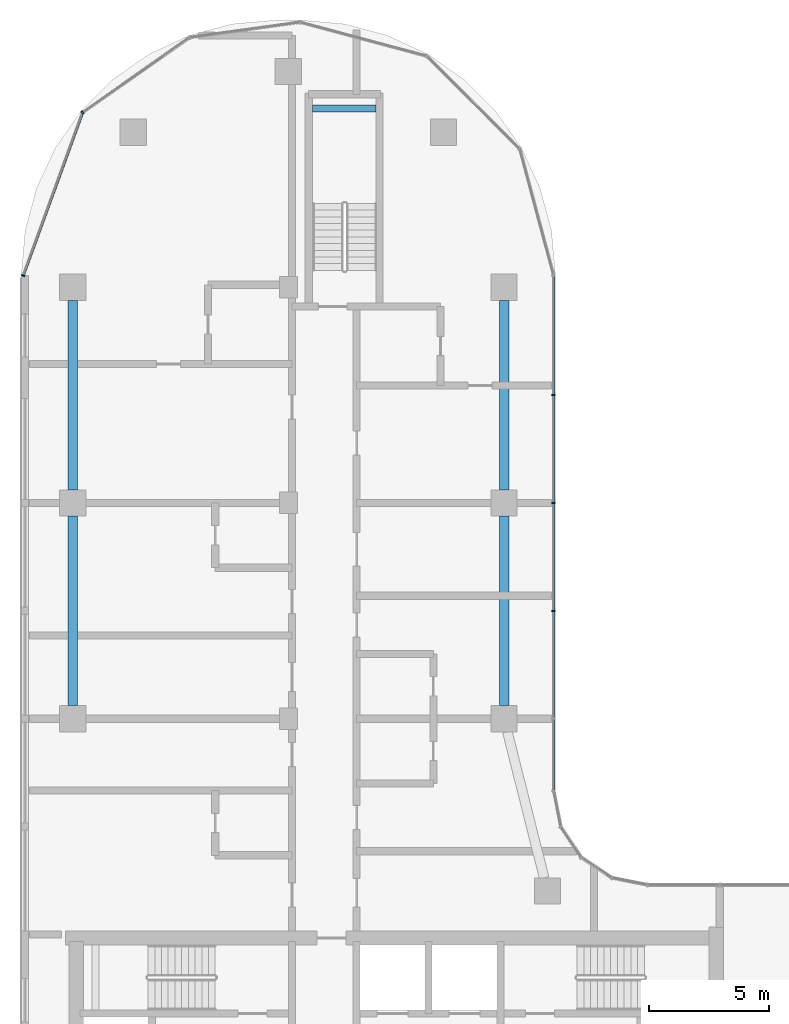
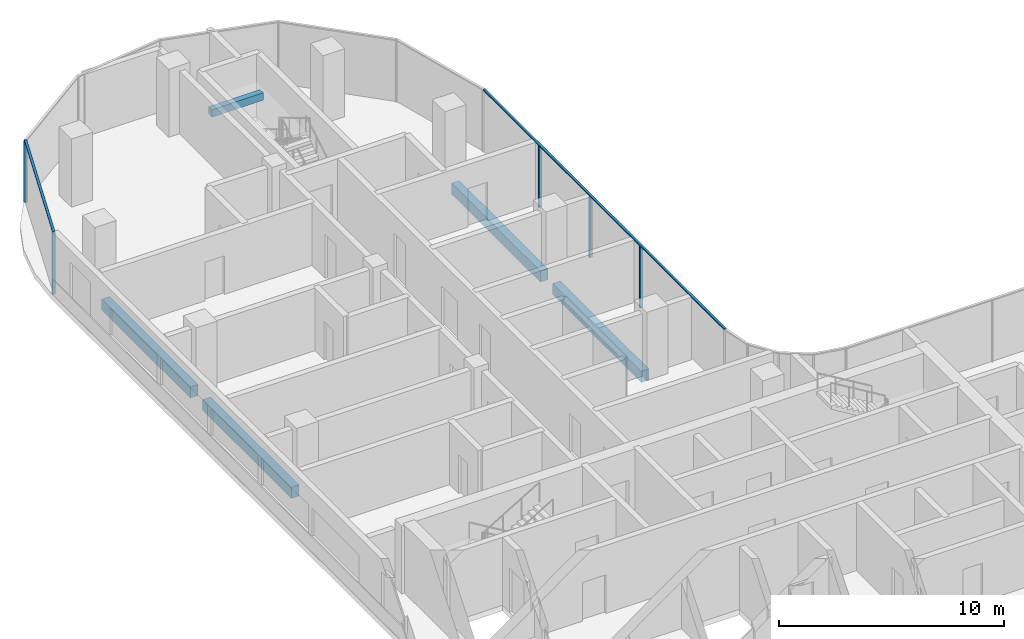
# One storey, part 6 of 23: 7 members, 5 beams, 2 elements without a shape of their own.
"""IFC4 building model written with IfcOpenShell, lengths in metres."""

from ifc_helpers import new_model, si_unit, direction, frame, origin, origin_2d, place, context, subcontext, project, spatial, rectangle, extrude, material, material_profile, profile_set, type_object, element, aggregate, save


model = new_model("IFC4")

# Units and contexts
model_context = context("Model", 3, precision=1e-05, world=origin(), true_north=direction((0.0, 1.0)))
body_context = subcontext(model_context, "Body", "Model", "MODEL_VIEW")
ifc_project = project(units=[si_unit("LENGTHUNIT", "METRE"), si_unit("AREAUNIT", "SQUARE_METRE"), si_unit("VOLUMEUNIT", "CUBIC_METRE"), si_unit("PLANEANGLEUNIT", "RADIAN"), si_unit("MASSUNIT", "GRAM", prefix="KILO")], contexts=[model_context])

# Site, building, storey
site_placement = place(None, origin())
site = spatial("IfcSite", under=ifc_project, at=site_placement, CompositionType="ELEMENT")
building_placement = place(site_placement, origin())
building = spatial("IfcBuilding", under=site, at=building_placement, Name="Ogive Portal Towers", CompositionType="ELEMENT")
storey_placement = place(building_placement, frame((0.0, 0.0, 175.5)))
storey = spatial("IfcBuildingStorey", under=building, at=storey_placement, Name="L43", CompositionType="ELEMENT", Elevation=175.5)

# Beam
ifc_material_1 = material(Name="Concrete C40/50", Category="concrete")
ifc_material_profile_1 = material_profile(ifc_material_1, rectangle(XDim=0.300048828125, YDim=0.39990234375, at=origin_2d()), Name="RC 300x400")
ifc_profile_set_1 = profile_set([ifc_material_profile_1], Name="Concrete C40/50")
beam_type_1 = type_object("IfcBeamType", Name="BEAM RC 300x400", PredefinedType="BEAM", material=ifc_profile_set_1)
beam_placement = place(storey_placement, frame((41.5, 73.949951171875, 1.449951171875), z_axis=(1.0, 0.0, 0.0), x_axis=(0.0, 1.0, 0.0)))
element("IfcBeam", 1, at=beam_placement, inside=storey, type_object=beam_type_1, Name="Landing beam L43", PredefinedType="BEAM", context=body_context, shape_type="SweptSolid", body=[
    extrude(rectangle(XDim=0.300048828125, YDim=0.39990234375, at=origin_2d()), origin(), (0.0, 0.0, 1.0), 2.64990234375),
])

# Curtain wall, members
ifc_material_2 = material(Name="Glass, clear low-iron insulated glazing", Category="glass")
curtain_wall_type = type_object("IfcCurtainWallType", Name="CW FRONT RIBBON 4500", PredefinedType="NOTDEFINED", material=ifc_material_2)
curtain_wall_1_placement = place(storey_placement, origin())
curtain_wall_1 = element("IfcCurtainWall", 2, at=curtain_wall_1_placement, inside=storey, type_object=curtain_wall_type, Name="A:L43:f15:cw0", PredefinedType="NOTDEFINED")
ifc_material_3 = material(Name="Aluminium 6063 anodised", Category="aluminium")
ifc_material_profile_2 = material_profile(ifc_material_3, rectangle(XDim=0.159912109375, YDim=0.06005859375, at=origin_2d()), Name="AL 60x160")
ifc_profile_set_2 = profile_set([ifc_material_profile_2], Name="Aluminium 6063 anodised")
member_type_1 = type_object("IfcMemberType", Name="CW MULLION 60x160", PredefinedType="MULLION", material=ifc_profile_set_2)
member_1_placement = place(storey_placement, frame((51.56494140625, 53.0, 0.0), z_axis=(0.0, 0.0, 1.0), x_axis=(-1.0, 0.0, 0.0)))
member_1 = element("IfcMember", 3, at=member_1_placement, type_object=member_type_1, Name="mullion", PredefinedType="MULLION", context=body_context, shape_type="SweptSolid", body=[
    extrude(rectangle(XDim=0.159912109375, YDim=0.06005859375, at=origin_2d()), origin(), (0.0, 0.0, 1.0), 3.340087890625),
])
member_2_placement = place(storey_placement, frame((51.56494140625, 57.5, 0.0), z_axis=(0.0, 0.0, 1.0), x_axis=(-1.0, 0.0, 0.0)))
member_2 = element("IfcMember", 4, at=member_2_placement, type_object=member_type_1, Name="mullion", PredefinedType="MULLION", context=body_context, shape_type="SweptSolid", body=[
    extrude(rectangle(XDim=0.159912109375, YDim=0.06005859375, at=origin_2d()), origin(), (0.0, 0.0, 1.0), 3.340087890625),
])
member_3_placement = place(storey_placement, frame((51.56494140625, 62.0, 0.0), z_axis=(0.0, 0.0, 1.0), x_axis=(-1.0, 0.0, 0.0)))
member_3 = element("IfcMember", 5, at=member_3_placement, type_object=member_type_1, Name="mullion", PredefinedType="MULLION", context=body_context, shape_type="SweptSolid", body=[
    extrude(rectangle(XDim=0.159912109375, YDim=0.06005859375, at=origin_2d()), origin(), (0.0, 0.0, 1.0), 3.340087890625),
])

curtain_wall_2_placement = place(storey_placement, origin())
curtain_wall_2 = element("IfcCurtainWall", 6, at=curtain_wall_2_placement, inside=storey, type_object=curtain_wall_type, Name="A:L43:f16:cwa", PredefinedType="NOTDEFINED")
member_4_placement = place(storey_placement, frame((31.912109375, 73.79150390625, 0.0), z_axis=(0.0, 0.0, 1.0), x_axis=(0.573576436351, -0.819152044289, 0.0)))
member_4 = element("IfcMember", 7, at=member_4_placement, type_object=member_type_1, Name="mullion", PredefinedType="MULLION", context=body_context, shape_type="SweptSolid", body=[
    extrude(rectangle(XDim=0.159912109375, YDim=0.06005859375, at=origin_2d()), origin(), (0.0, 0.0, 1.0), 3.340087890625),
])
member_5_placement = place(storey_placement, frame((29.43505859375, 66.98583984375, 0.0), z_axis=(0.0, 0.0, 1.0), x_axis=(0.939692620786, -0.342020143326, 0.0)))
member_5 = element("IfcMember", 8, at=member_5_placement, type_object=member_type_1, Name="mullion", PredefinedType="MULLION", context=body_context, shape_type="SweptSolid", body=[
    extrude(rectangle(XDim=0.159912109375, YDim=0.06005859375, at=origin_2d()), origin(), (0.0, 0.0, 1.0), 3.340087890625),
])

# Member
ifc_material_profile_3 = material_profile(ifc_material_3, rectangle(XDim=0.1201171875, YDim=0.06005859375, at=origin_2d()), Name="AL 120x60")
ifc_profile_set_3 = profile_set([ifc_material_profile_3], Name="Aluminium 6063 anodised")
member_type_2 = type_object("IfcMemberType", Name="CW TRANSOM 60x120", PredefinedType="USERDEFINED", material=ifc_profile_set_3)
member_6_placement = place(storey_placement, frame((51.56494140625, 45.4921875, 3.3701171875), z_axis=(0.0, 1.0, 0.0), x_axis=(-1.0, 0.0, 0.0)))
member_6 = element("IfcMember", 9, at=member_6_placement, type_object=member_type_2, Name="transom", ObjectType="TRANSOM", PredefinedType="USERDEFINED", context=body_context, shape_type="SweptSolid", body=[
    extrude(rectangle(XDim=0.1201171875, YDim=0.06005859375, at=origin_2d()), origin(), (0.0, 0.0, 1.0), 21.497314453125),
])

aggregate(curtain_wall_1, [member_6, member_1, member_2, member_3])

member_7_placement = place(storey_placement, frame((31.912109375, 73.79150390625, 3.3701171875), z_axis=(-0.342019123812, -0.939692991858, 0.0), x_axis=(0.939692991858, -0.342019123812, 0.0)))
member_7 = element("IfcMember", 10, at=member_7_placement, type_object=member_type_2, Name="transom", ObjectType="TRANSOM", PredefinedType="USERDEFINED", context=body_context, shape_type="SweptSolid", body=[
    extrude(rectangle(XDim=0.1201171875, YDim=0.06005859375, at=origin_2d()), origin(), (0.0, 0.0, 1.0), 7.242431640625),
])

aggregate(curtain_wall_2, [member_7, member_4, member_5])

# Beams
ifc_material_profile_4 = material_profile(ifc_material_1, rectangle(XDim=0.39990234375, YDim=0.60009765625, at=origin_2d()), Name="RC 400x600")
ifc_profile_set_4 = profile_set([ifc_material_profile_4], Name="Concrete C40/50")
beam_type_2 = type_object("IfcBeamType", Name="SPANDREL BEAM RC 400x600", PredefinedType="BEAM", material=ifc_profile_set_4)
for number, where, z_axis, x_axis, name in (
    (11, (31.5, 49.050048828125, -0.60009765625), (0.0, 1.0, 0.0), (-1.0, 0.0, 0.0), "Spandrel beam L43"),
    (12, (31.5, 58.050048828125, -0.60009765625), (0.0, 1.0, 0.0), (-1.0, 0.0, 0.0), "Spandrel beam L43"),
    (13, (49.5, 65.949951171875, -0.60009765625), (0.0, -1.0, 0.0), (1.0, 0.0, 0.0), "Spandrel beam L43"),
    (14, (49.5, 56.949951171875, -0.60009765625), (0.0, -1.0, 0.0), (1.0, 0.0, 0.0), "Spandrel beam L43"),
):
    element("IfcBeam", number, at=place(storey_placement, frame(where, z_axis=z_axis, x_axis=x_axis)), inside=storey, type_object=beam_type_2, Name=name, PredefinedType="BEAM", context=body_context, shape_type="SweptSolid", body=[
        extrude(rectangle(XDim=0.39990234375, YDim=0.60009765625, at=origin_2d()), origin(), (0.0, 0.0, 1.0), 7.89990234375),
    ])

save(model, "model.ifc")
